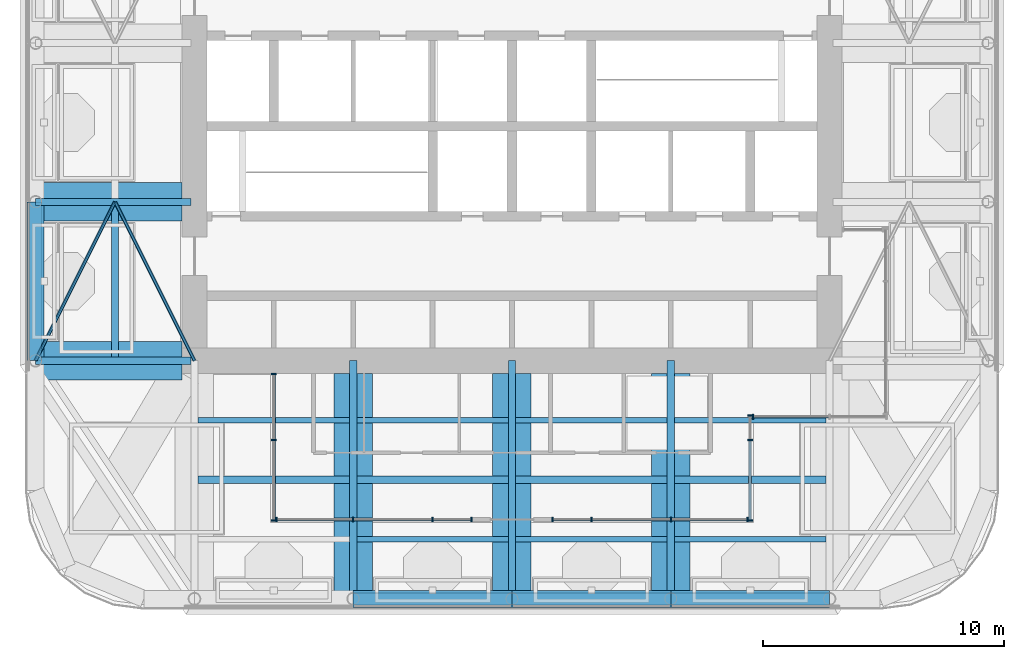
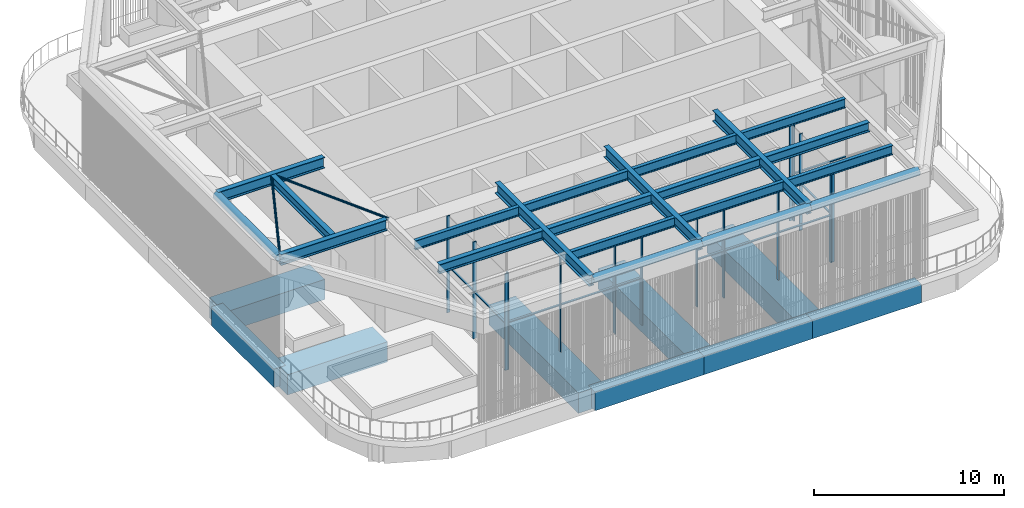
# One storey, part 2 of 22: 34 members, 23 beams, 5 elements without a shape of their own.
"""IFC4 building model written with IfcOpenShell, lengths in metres."""

import ifcopenshell
import ifcopenshell.guid

model = None  # the IFC model being written
_history = None  # IfcOwnerHistory: only IFC2X3 demands one
_inside = {}  # id of a spatial element -> (the spatial element, [elements in it])
_under = {}  # id of a project, library or spatial element -> (it, [spatial elements below it])
_declared = {}  # id of a project -> (the project, [libraries it declares])
_typed = {}  # id of a type object -> (the type object, [elements of that type])
_made_of = {}  # id of a material, layer set ... -> (it, [elements and type objects made of it])


def new_model(schema):
    """Start an empty IFC model of exactly this schema.

    Asked for "IFC4X3", IfcOpenShell would pick the latest addendum, in which some entities
    have other attributes; the version numbers below select the first issue.
    IFC2X3 requires an IfcOwnerHistory on every rooted entity: one is made here for all.
    """
    global model, _history
    if schema == "IFC4X3":
        model = ifcopenshell.file(schema_version=(4, 3, 0, 0))
    else:
        model = ifcopenshell.file(schema=schema)
    _inside.clear()
    _under.clear()
    _declared.clear()
    _typed.clear()
    _made_of.clear()
    _history = None
    if model.schema == "IFC2X3":
        org = make("IfcOrganization", Name="unknown")
        user = make(
            "IfcPersonAndOrganization",
            ThePerson=make("IfcPerson", FamilyName="unknown"),
            TheOrganization=org,
        )
        app = make(
            "IfcApplication",
            ApplicationDeveloper=org,
            Version="unknown",
            ApplicationFullName="unknown",
            ApplicationIdentifier="unknown",
        )
        _history = make(
            "IfcOwnerHistory",
            OwningUser=user,
            OwningApplication=app,
            ChangeAction="ADDED",
            CreationDate=0,
        )
    return model


def make(cls, **values):
    """One entity of the class cls with the attributes given. An attribute that is None is left unset."""
    return model.create_entity(
        cls, **{name: value for name, value in values.items() if value is not None}
    )


def rooted(cls, **values):
    """An entity with a GlobalId (a new one), such as an element, a storey or a relation."""
    return make(cls, GlobalId=ifcopenshell.guid.new(), OwnerHistory=_history, **values)


def si_unit(unit_type, name, prefix=None):
    """IfcSIUnit, for example si_unit("LENGTHUNIT", "METRE", prefix="MILLI")."""
    return make("IfcSIUnit", UnitType=unit_type, Prefix=prefix, Name=name)


def assignment(units):
    """IfcUnitAssignment: the units of a project."""
    return None if units is None else make("IfcUnitAssignment", Units=units)


def point(xyz):
    """IfcCartesianPoint."""
    return None if xyz is None else make("IfcCartesianPoint", Coordinates=xyz)


def direction(xyz):
    """IfcDirection."""
    return None if xyz is None else make("IfcDirection", DirectionRatios=xyz)


def frame(location, z_axis=None, x_axis=None):
    """IfcAxis2Placement3D, a coordinate frame: its origin and axes. An axis left out is left unset."""
    return make(
        "IfcAxis2Placement3D",
        Location=point(location),
        Axis=direction(z_axis),
        RefDirection=direction(x_axis),
    )


def frame_2d(location, x_axis=None):
    """IfcAxis2Placement2D, a coordinate frame in the plane: its origin and x axis."""
    return make(
        "IfcAxis2Placement2D", Location=point(location), RefDirection=direction(x_axis)
    )


def origin():
    """The frame at (0, 0, 0) with its axes left unset."""
    return frame((0.0, 0.0, 0.0))


def origin_2d():
    """The frame at (0, 0) in the plane with its x axis left unset."""
    return frame_2d((0.0, 0.0))


def place(relative_to, where):
    """IfcLocalPlacement: puts the frame where relative to a parent placement (None: the world)."""
    return make(
        "IfcLocalPlacement", PlacementRelTo=relative_to, RelativePlacement=where
    )


def context(
    kind, dimensions, precision=None, world=None, true_north=None, identifier=None
):
    """IfcGeometricRepresentationContext, for example the 3D "Model" context."""
    return make(
        "IfcGeometricRepresentationContext",
        ContextIdentifier=identifier,
        ContextType=kind,
        CoordinateSpaceDimension=dimensions,
        Precision=precision,
        WorldCoordinateSystem=world,
        TrueNorth=true_north,
    )


def subcontext(parent, identifier, kind, view, scale=None):
    """IfcGeometricRepresentationSubContext, for example "Body" below "Model"."""
    return make(
        "IfcGeometricRepresentationSubContext",
        ContextIdentifier=identifier,
        ContextType=kind,
        ParentContext=parent,
        TargetScale=scale,
        TargetView=view,
    )


def project(units=None, contexts=None):
    """IfcProject with its units and contexts."""
    return rooted(
        "IfcProject",
        Name="project",
        RepresentationContexts=contexts,
        UnitsInContext=assignment(units),
    )


def spatial(cls, under=None, at=None, **own):
    """A site, building, storey or space (cls), placed at a placement, below another one or the project."""
    s = rooted(cls, ObjectPlacement=at, **own)
    if under is not None:
        _under.setdefault(under.id(), (under, []))[1].append(s)
    return s


def profile(cls, at=None, kind="AREA", **sizes):
    """A parametric profile (cls). Its sizes go by their IFC names, for example OverallWidth=200.0."""
    return make(cls, ProfileType=kind, Position=at, **sizes)


def rectangle(**sizes):
    """IfcRectangleProfileDef."""
    return profile("IfcRectangleProfileDef", **sizes)


def hollow_circle(**sizes):
    """IfcCircleHollowProfileDef."""
    return profile("IfcCircleHollowProfileDef", **sizes)


def i_section(**sizes):
    """IfcIShapeProfileDef."""
    return profile("IfcIShapeProfileDef", **sizes)


def extrude(swept, where, along, depth):
    """IfcExtrudedAreaSolid: the profile swept, set in the frame where, extruded along a direction by depth."""
    return make(
        "IfcExtrudedAreaSolid",
        SweptArea=swept,
        Position=where,
        ExtrudedDirection=direction(along),
        Depth=depth,
    )


def shape(context_of_items, identifier, shape_type, items):
    """IfcShapeRepresentation: the items that make up one representation, for example the "Body"."""
    return make(
        "IfcShapeRepresentation",
        ContextOfItems=context_of_items,
        RepresentationIdentifier=identifier,
        RepresentationType=shape_type,
        Items=items,
    )


def material(Name=None, Category=None):
    """IfcMaterial."""
    return make("IfcMaterial", Name=Name, Category=Category)


def material_profile(
    of_material, cross_section, Name=None, Category=None, Priority=None
):
    """IfcMaterialProfile: a cross section and its material."""
    return make(
        "IfcMaterialProfile",
        Name=Name,
        Material=of_material,
        Profile=cross_section,
        Priority=Priority,
        Category=Category,
    )


def profile_set(profiles, Name=None, composite=None):
    """IfcMaterialProfileSet."""
    return make(
        "IfcMaterialProfileSet",
        Name=Name,
        MaterialProfiles=profiles,
        CompositeProfile=composite,
    )


def made_of(thing, what):
    """Note that an element or type object is made of a material, layer set ...; save() writes the relation."""
    if what is not None:
        _made_of.setdefault(what.id(), (what, []))[1].append(thing)
    return thing


def type_object(cls, material=None, **own):
    """A type object (cls), such as IfcWallType, which elements share."""
    return made_of(rooted(cls, **own), material)


def element(
    cls,
    number,
    at=None,
    inside=None,
    cuts=None,
    type_object=None,
    material=None,
    context=None,
    identifier="Body",
    shape_type=None,
    held_by="IfcProductDefinitionShape",
    body=None,
    shapes=None,
    **own,
):
    """One element of the class cls, such as IfcWall. Its Tag is "e" and its number.

    at: its placement. inside: the storey or other place that contains it. cuts: it is an
    opening in that element (IfcRelVoidsElement). A single representation is given by context,
    identifier, shape_type and body (its items); several are given by shapes. held_by: the class
    of the entity that holds the representations. save() writes the other relations.
    """
    e = rooted(cls, Tag="e%d" % number, ObjectPlacement=at, **own)
    if body is not None:
        shapes = [shape(context, identifier, shape_type, body)]
    if shapes is not None:
        e.Representation = make(held_by, Representations=shapes)
    if inside is not None:
        _inside.setdefault(inside.id(), (inside, []))[1].append(e)
    if cuts is not None:
        rooted(
            "IfcRelVoidsElement", RelatingBuildingElement=cuts, RelatedOpeningElement=e
        )
    if type_object is not None:
        _typed.setdefault(type_object.id(), (type_object, []))[1].append(e)
    return made_of(e, material)


def aggregate(whole, parts):
    """IfcRelAggregates: a whole, such as a stair, and the parts it consists of."""
    return rooted("IfcRelAggregates", RelatingObject=whole, RelatedObjects=parts)


def save(model, path):
    """Write the relations noted so far, then the file.

    IfcRelAggregates (storeys below a building ...), IfcRelContainedInSpatialStructure (elements
    in a storey), IfcRelDefinesByType, IfcRelAssociatesMaterial and IfcRelDeclares: one each for
    every whole, place, type object, material and project.
    """
    for whole, parts in _under.values():
        aggregate(whole, parts)
    for where, things in _inside.values():
        rooted(
            "IfcRelContainedInSpatialStructure",
            RelatedElements=things,
            RelatingStructure=where,
        )
    for kind, things in _typed.values():
        rooted("IfcRelDefinesByType", RelatedObjects=things, RelatingType=kind)
    for what, things in _made_of.values():
        rooted("IfcRelAssociatesMaterial", RelatedObjects=things, RelatingMaterial=what)
    for by, libraries in _declared.values():
        rooted("IfcRelDeclares", RelatingContext=by, RelatedDefinitions=libraries)
    model.write(path)


model = new_model("IFC4")

# Units and contexts
model_context = context("Model", 3, precision=1e-05, world=origin(), true_north=direction((0.0, 1.0)))
body_context = subcontext(model_context, "Body", "Model", "MODEL_VIEW")
ifc_project = project(units=[si_unit("LENGTHUNIT", "METRE"), si_unit("AREAUNIT", "SQUARE_METRE"), si_unit("VOLUMEUNIT", "CUBIC_METRE"), si_unit("PLANEANGLEUNIT", "RADIAN"), si_unit("MASSUNIT", "GRAM", prefix="KILO")], contexts=[model_context])

# Site, building, storey
site_placement = place(None, origin())
site = spatial("IfcSite", under=ifc_project, at=site_placement, CompositionType="ELEMENT")
building_placement = place(site_placement, origin())
building = spatial("IfcBuilding", under=site, at=building_placement, Name="Cobogo Forest Laboratory Tower", CompositionType="ELEMENT")
storey_placement = place(building_placement, frame((0.0, 0.0, 292.800048828125)))
storey = spatial("IfcBuildingStorey", under=building, at=storey_placement, Name="RF", CompositionType="ELEMENT", Elevation=292.800048828125)

# Beams
ifc_material_1 = material(Name="Steel S355", Category="steel")
ifc_material_profile_1 = material_profile(ifc_material_1, i_section(OverallWidth=0.300048828125, OverallDepth=0.699951171875, WebThickness=0.01708984375, FlangeThickness=0.031982421875, FilletRadius=0.027099609375, at=origin_2d()), Name="HEB 700")
ifc_profile_set_1 = profile_set([ifc_material_profile_1], Name="Steel S355")
beam_type_1 = type_object("IfcBeamType", Name="Crown frame girder HEB 700", PredefinedType="BEAM", material=ifc_profile_set_1)
for number, where, z_axis, x_axis, name in (
    (1, (19.800048828125, 3.300048828125, 6.550048828125), (0.0, 1.0, 0.0), (-1.0, 0.0, 0.0), "SG1 4-1"),
    (2, (26.39990234375, 3.300048828125, 6.550048828125), (0.0, 1.0, 0.0), (-1.0, 0.0, 0.0), "SG1 5-1"),
    (3, (33.0, 3.300048828125, 6.550048828125), (0.0, 1.0, 0.0), (-1.0, 0.0, 0.0), "SG1 6-1"),
):
    element("IfcBeam", number, at=place(storey_placement, frame(where, z_axis=z_axis, x_axis=x_axis)), inside=storey, type_object=beam_type_1, Name=name, PredefinedType="BEAM", context=body_context, shape_type="SweptSolid", body=[
        extrude(i_section(OverallWidth=0.300048828125, OverallDepth=0.699951171875, WebThickness=0.01708984375, FlangeThickness=0.031982421875, FilletRadius=0.027099609375, at=origin_2d()), origin(), (0.0, 0.0, 1.0), 9.89990234375),
    ])
for number, where, z_axis, x_axis, name in (
    (4, (6.60009765625, 13.199951171875, 6.550048828125), (1.0, 0.0, 0.0), (0.0, 1.0, 0.0), "SG1 C-W"),
    (5, (6.60009765625, 19.800048828125, 6.550048828125), (1.0, 0.0, 0.0), (0.0, 1.0, 0.0), "SG1 D-W"),
):
    element("IfcBeam", number, at=place(storey_placement, frame(where, z_axis=z_axis, x_axis=x_axis)), inside=storey, type_object=beam_type_1, Name=name, PredefinedType="BEAM", context=body_context, shape_type="SweptSolid", body=[
        extrude(i_section(OverallWidth=0.300048828125, OverallDepth=0.699951171875, WebThickness=0.01708984375, FlangeThickness=0.031982421875, FilletRadius=0.027099609375, at=origin_2d()), origin(), (0.0, 0.0, 1.0), 6.449951171875),
    ])

# Members
ifc_material_profile_2 = material_profile(ifc_material_1, i_section(OverallWidth=0.219970703125, OverallDepth=0.60009765625, WebThickness=0.011962890625, FlangeThickness=0.01904296875, FilletRadius=0.02392578125, at=origin_2d()), Name="IPE 600")
ifc_profile_set_2 = profile_set([ifc_material_profile_2], Name="Steel S355")
member_type_1 = type_object("IfcMemberType", Name="Crown frame intermediate purlin IPE 600", PredefinedType="PURLIN", material=ifc_profile_set_2)
for number, where, z_axis, x_axis, name in (
    (6, (19.949951171875, 5.77490234375, 6.599853515625), (1.0, 0.0, 0.0), (0.0, 1.0, 0.0), "SP2 canopy purlin S1-2"),
    (7, (26.550048828125, 5.77490234375, 6.599853515625), (1.0, 0.0, 0.0), (0.0, 1.0, 0.0), "SP2 canopy purlin S1-3"),
    (8, (33.14990234375, 5.77490234375, 6.599853515625), (1.0, 0.0, 0.0), (0.0, 1.0, 0.0), "SP2 canopy purlin S1-4"),
):
    element("IfcMember", number, at=place(storey_placement, frame(where, z_axis=z_axis, x_axis=x_axis)), inside=storey, type_object=member_type_1, Name=name, PredefinedType="PURLIN", context=body_context, shape_type="SweptSolid", body=[
        extrude(i_section(OverallWidth=0.219970703125, OverallDepth=0.60009765625, WebThickness=0.011962890625, FlangeThickness=0.01904296875, FilletRadius=0.02392578125, at=origin_2d()), origin(), (0.0, 0.0, 1.0), 6.300048828125),
    ])
member_1_placement = place(storey_placement, frame((13.35009765625, 10.72509765625, 6.599853515625), z_axis=(1.0, 0.0, 0.0), x_axis=(0.0, 1.0, 0.0)))
element("IfcMember", 9, at=member_1_placement, inside=storey, type_object=member_type_1, Name="SP2 canopy purlin S3-1", PredefinedType="PURLIN", context=body_context, shape_type="SweptSolid", body=[
    extrude(i_section(OverallWidth=0.219970703125, OverallDepth=0.60009765625, WebThickness=0.011962890625, FlangeThickness=0.01904296875, FilletRadius=0.02392578125, at=origin_2d()), origin(), (0.0, 0.0, 1.0), 6.2998046875),
])
for number, where, z_axis, x_axis, name in (
    (10, (19.949951171875, 10.72509765625, 6.599853515625), (1.0, 0.0, 0.0), (0.0, 1.0, 0.0), "SP2 canopy purlin S3-2"),
    (11, (26.550048828125, 10.72509765625, 6.599853515625), (1.0, 0.0, 0.0), (0.0, 1.0, 0.0), "SP2 canopy purlin S3-3"),
    (12, (33.14990234375, 10.72509765625, 6.599853515625), (1.0, 0.0, 0.0), (0.0, 1.0, 0.0), "SP2 canopy purlin S3-4"),
):
    element("IfcMember", number, at=place(storey_placement, frame(where, z_axis=z_axis, x_axis=x_axis)), inside=storey, type_object=member_type_1, Name=name, PredefinedType="PURLIN", context=body_context, shape_type="SweptSolid", body=[
        extrude(i_section(OverallWidth=0.219970703125, OverallDepth=0.60009765625, WebThickness=0.011962890625, FlangeThickness=0.01904296875, FilletRadius=0.02392578125, at=origin_2d()), origin(), (0.0, 0.0, 1.0), 6.300048828125),
    ])
ifc_material_profile_3 = material_profile(ifc_material_1, hollow_circle(Radius=0.06982421875, WallThickness=0.00634765625, at=origin_2d()), Name="CHS 139.7x6.3")
ifc_profile_set_3 = profile_set([ifc_material_profile_3], Name="Steel S355")
member_type_2 = type_object("IfcMemberType", Name="Crown frame plan brace CHS 139.7x6.3", PredefinedType="BRACE", material=ifc_profile_set_3)
member_2_placement = place(storey_placement, frame((6.60009765625, 13.199951171875, 6.830078125), z_axis=(0.447187126696, 0.894440424912, 0.0), x_axis=(-0.894440424912, 0.447187126696, 0.0)))
element("IfcMember", 13, at=member_2_placement, inside=storey, type_object=member_type_2, Name="SX1 canopy brace W1-1", PredefinedType="BRACE", context=body_context, shape_type="SweptSolid", body=[
    extrude(hollow_circle(Radius=0.06982421875, WallThickness=0.00634765625, at=origin_2d()), origin(), (0.0, 0.0, 1.0), 7.37890625),
])
member_3_placement = place(storey_placement, frame((13.199951171875, 13.199951171875, 6.830078125), z_axis=(-0.4472135955, 0.894427191, 0.0), x_axis=(-0.894427191, -0.4472135955, 0.0)))
element("IfcMember", 14, at=member_3_placement, inside=storey, type_object=member_type_2, Name="SX1 canopy brace W1-2", PredefinedType="BRACE", context=body_context, shape_type="SweptSolid", body=[
    extrude(hollow_circle(Radius=0.06982421875, WallThickness=0.00634765625, at=origin_2d()), origin(), (0.0, 0.0, 1.0), 7.379150390625),
])

# Beams
ifc_material_profile_4 = material_profile(ifc_material_1, i_section(OverallWidth=0.300048828125, OverallDepth=0.60009765625, WebThickness=0.015380859375, FlangeThickness=0.030029296875, FilletRadius=0.027099609375, at=origin_2d()), Name="HEB 600")
ifc_profile_set_4 = profile_set([ifc_material_profile_4], Name="Steel S355")
beam_type_2 = type_object("IfcBeamType", Name="Crown frame purlin HEB 600", PredefinedType="BEAM", material=ifc_profile_set_4)
beam_1_placement = place(storey_placement, frame((13.35009765625, 8.25, 6.599853515625), z_axis=(1.0, 0.0, 0.0), x_axis=(0.0, 1.0, 0.0)))
element("IfcBeam", 15, at=beam_1_placement, inside=storey, type_object=beam_type_2, Name="SP1 S1", PredefinedType="BEAM", context=body_context, shape_type="SweptSolid", body=[
    extrude(i_section(OverallWidth=0.300048828125, OverallDepth=0.60009765625, WebThickness=0.015380859375, FlangeThickness=0.030029296875, FilletRadius=0.027099609375, at=origin_2d()), origin(), (0.0, 0.0, 1.0), 6.2998046875),
])
for number, where, z_axis, x_axis, name in (
    (16, (19.949951171875, 8.25, 6.599853515625), (1.0, 0.0, 0.0), (0.0, 1.0, 0.0), "SP1 S2"),
    (17, (26.550048828125, 8.25, 6.599853515625), (1.0, 0.0, 0.0), (0.0, 1.0, 0.0), "SP1 S3"),
    (18, (33.14990234375, 8.25, 6.599853515625), (1.0, 0.0, 0.0), (0.0, 1.0, 0.0), "SP1 S4"),
):
    element("IfcBeam", number, at=place(storey_placement, frame(where, z_axis=z_axis, x_axis=x_axis)), inside=storey, type_object=beam_type_2, Name=name, PredefinedType="BEAM", context=body_context, shape_type="SweptSolid", body=[
        extrude(i_section(OverallWidth=0.300048828125, OverallDepth=0.60009765625, WebThickness=0.015380859375, FlangeThickness=0.030029296875, FilletRadius=0.027099609375, at=origin_2d()), origin(), (0.0, 0.0, 1.0), 6.300048828125),
    ])
beam_2_placement = place(storey_placement, frame((9.89990234375, 13.35009765625, 6.599853515625), z_axis=(0.0, 1.0, 0.0), x_axis=(-1.0, 0.0, 0.0)))
element("IfcBeam", 19, at=beam_2_placement, inside=storey, type_object=beam_type_2, Name="SP1 W1", PredefinedType="BEAM", context=body_context, shape_type="SweptSolid", body=[
    extrude(i_section(OverallWidth=0.300048828125, OverallDepth=0.60009765625, WebThickness=0.015380859375, FlangeThickness=0.030029296875, FilletRadius=0.027099609375, at=origin_2d()), origin(), (0.0, 0.0, 1.0), 6.2998046875),
])
ifc_material_profile_5 = material_profile(ifc_material_1, hollow_circle(Radius=0.25390625, WallThickness=0.01611328125, at=origin_2d()), Name="CHS 508x16")
ifc_profile_set_5 = profile_set([ifc_material_profile_5], Name="Steel S355")
beam_type_3 = type_object("IfcBeamType", Name="Crown frame ring CHS 508x16", PredefinedType="BEAM", material=ifc_profile_set_5)
beam_3_placement = place(storey_placement, frame((19.800048828125, 3.300048828125, 6.64599609375), z_axis=(1.0, 0.0, 0.0), x_axis=(0.0, 1.0, 0.0)))
element("IfcBeam", 20, at=beam_3_placement, inside=storey, type_object=beam_type_3, Name="SE1 S2", PredefinedType="BEAM", context=body_context, shape_type="SweptSolid", body=[
    extrude(hollow_circle(Radius=0.25390625, WallThickness=0.01611328125, at=origin_2d()), origin(), (0.0, 0.0, 1.0), 6.599853515625),
])
for number, where, z_axis, x_axis, name in (
    (21, (26.39990234375, 3.300048828125, 6.64599609375), (1.0, 0.0, 0.0), (0.0, 1.0, 0.0), "SE1 S3"),
    (22, (33.0, 3.300048828125, 6.64599609375), (1.0, 0.0, 0.0), (0.0, 1.0, 0.0), "SE1 S4"),
    (23, (6.60009765625, 13.199951171875, 6.64599609375), (0.0, 1.0, 0.0), (-1.0, 0.0, 0.0), "SE1 W1"),
):
    element("IfcBeam", number, at=place(storey_placement, frame(where, z_axis=z_axis, x_axis=x_axis)), inside=storey, type_object=beam_type_3, Name=name, PredefinedType="BEAM", context=body_context, shape_type="SweptSolid", body=[
        extrude(hollow_circle(Radius=0.25390625, WallThickness=0.01611328125, at=origin_2d()), origin(), (0.0, 0.0, 1.0), 6.60009765625),
    ])

# Curtain wall, members
ifc_material_2 = material(Name="Aluminium curtain wall", Category="aluminium")
curtain_wall_type = type_object("IfcCurtainWallType", Name="CW-C stick curtain wall, crown glazing, conference floor and roof pavilion", PredefinedType="USERDEFINED", material=ifc_material_2)
curtain_wall_1_placement = place(storey_placement, origin())
curtain_wall_1 = element("IfcCurtainWall", 24, at=curtain_wall_1_placement, inside=storey, type_object=curtain_wall_type, Name="Curtain wall 01 RF", ObjectType="STICK CURTAIN WALL", PredefinedType="USERDEFINED")
ifc_material_3 = material(Name="Aluminium mullion", Category="aluminium")
ifc_material_profile_6 = material_profile(ifc_material_3, rectangle(XDim=0.06005859375, YDim=0.199951171875, at=origin_2d()), Name="AL 60x200")
ifc_profile_set_6 = profile_set([ifc_material_profile_6], Name="Aluminium mullion")
member_type_3 = type_object("IfcMemberType", Name="MU-2 aluminium mullion 60x200", PredefinedType="MULLION", material=ifc_profile_set_6)
member_4_placement = place(storey_placement, frame((16.5, 12.64501953125, 0.0), z_axis=(0.0, 0.0, 1.0), x_axis=(0.0, -1.0, 0.0)))
member_4 = element("IfcMember", 25, at=member_4_placement, type_object=member_type_3, Name="CW-C mullion 1", PredefinedType="MULLION", context=body_context, shape_type="SweptSolid", body=[
    extrude(rectangle(XDim=0.06005859375, YDim=0.199951171875, at=origin_2d()), origin(), (0.0, 0.0, 1.0), 6.199951171875),
])
member_5_placement = place(storey_placement, frame((16.5, 9.89990234375, 0.0), z_axis=(0.0, 0.0, 1.0), x_axis=(0.0, -1.0, 0.0)))
member_5 = element("IfcMember", 26, at=member_5_placement, type_object=member_type_3, Name="CW-C mullion 2", PredefinedType="MULLION", context=body_context, shape_type="SweptSolid", body=[
    extrude(rectangle(XDim=0.06005859375, YDim=0.199951171875, at=origin_2d()), origin(), (0.0, 0.0, 1.0), 6.199951171875),
])
member_6_placement = place(storey_placement, frame((16.5, 6.550048828125, 0.0), z_axis=(0.0, 0.0, 1.0), x_axis=(0.0, -1.0, 0.0)))
member_6 = element("IfcMember", 27, at=member_6_placement, type_object=member_type_3, Name="CW-C mullion 3", PredefinedType="MULLION", context=body_context, shape_type="SweptSolid", body=[
    extrude(rectangle(XDim=0.06005859375, YDim=0.199951171875, at=origin_2d()), origin(), (0.0, 0.0, 1.0), 6.199951171875),
])

curtain_wall_2_placement = place(storey_placement, origin())
curtain_wall_2 = element("IfcCurtainWall", 28, at=curtain_wall_2_placement, inside=storey, type_object=curtain_wall_type, Name="Curtain wall 02 RF", ObjectType="STICK CURTAIN WALL", PredefinedType="USERDEFINED")
member_7_placement = place(storey_placement, frame((16.610107421875, 6.60009765625, 0.0), z_axis=(0.0, 0.0, 1.0), x_axis=(1.0, 0.0, 0.0)))
member_7 = element("IfcMember", 29, at=member_7_placement, type_object=member_type_3, Name="CW-C mullion 1", PredefinedType="MULLION", context=body_context, shape_type="SweptSolid", body=[
    extrude(rectangle(XDim=0.06005859375, YDim=0.199951171875, at=origin_2d()), origin(), (0.0, 0.0, 1.0), 6.199951171875),
])
member_8_placement = place(storey_placement, frame((19.800048828125, 6.60009765625, 0.0), z_axis=(0.0, 0.0, 1.0), x_axis=(1.0, 0.0, 0.0)))
member_8 = element("IfcMember", 30, at=member_8_placement, type_object=member_type_3, Name="CW-C mullion 2", PredefinedType="MULLION", context=body_context, shape_type="SweptSolid", body=[
    extrude(rectangle(XDim=0.06005859375, YDim=0.199951171875, at=origin_2d()), origin(), (0.0, 0.0, 1.0), 6.199951171875),
])
member_9_placement = place(storey_placement, frame((23.10009765625, 6.60009765625, 0.0), z_axis=(0.0, 0.0, 1.0), x_axis=(1.0, 0.0, 0.0)))
member_9 = element("IfcMember", 31, at=member_9_placement, type_object=member_type_3, Name="CW-C mullion 3", PredefinedType="MULLION", context=body_context, shape_type="SweptSolid", body=[
    extrude(rectangle(XDim=0.06005859375, YDim=0.199951171875, at=origin_2d()), origin(), (0.0, 0.0, 1.0), 6.199951171875),
])
member_10_placement = place(storey_placement, frame((24.719970703125, 6.60009765625, 0.0), z_axis=(0.0, 0.0, 1.0), x_axis=(1.0, 0.0, 0.0)))
member_10 = element("IfcMember", 32, at=member_10_placement, type_object=member_type_3, Name="CW-C mullion 4", PredefinedType="MULLION", context=body_context, shape_type="SweptSolid", body=[
    extrude(rectangle(XDim=0.06005859375, YDim=0.199951171875, at=origin_2d()), origin(), (0.0, 0.0, 1.0), 6.199951171875),
])

curtain_wall_3_placement = place(storey_placement, origin())
curtain_wall_3 = element("IfcCurtainWall", 33, at=curtain_wall_3_placement, inside=storey, type_object=curtain_wall_type, Name="Curtain wall 03 RF", ObjectType="STICK CURTAIN WALL", PredefinedType="USERDEFINED")
member_11_placement = place(storey_placement, frame((28.080078125, 6.60009765625, 0.0), z_axis=(0.0, 0.0, 1.0), x_axis=(1.0, 0.0, 0.0)))
member_11 = element("IfcMember", 34, at=member_11_placement, type_object=member_type_3, Name="CW-C mullion 1", PredefinedType="MULLION", context=body_context, shape_type="SweptSolid", body=[
    extrude(rectangle(XDim=0.06005859375, YDim=0.199951171875, at=origin_2d()), origin(), (0.0, 0.0, 1.0), 6.199951171875),
])
member_12_placement = place(storey_placement, frame((29.699951171875, 6.60009765625, 0.0), z_axis=(0.0, 0.0, 1.0), x_axis=(1.0, 0.0, 0.0)))
member_12 = element("IfcMember", 35, at=member_12_placement, type_object=member_type_3, Name="CW-C mullion 2", PredefinedType="MULLION", context=body_context, shape_type="SweptSolid", body=[
    extrude(rectangle(XDim=0.06005859375, YDim=0.199951171875, at=origin_2d()), origin(), (0.0, 0.0, 1.0), 6.199951171875),
])
member_13_placement = place(storey_placement, frame((33.0, 6.60009765625, 0.0), z_axis=(0.0, 0.0, 1.0), x_axis=(1.0, 0.0, 0.0)))
member_13 = element("IfcMember", 36, at=member_13_placement, type_object=member_type_3, Name="CW-C mullion 3", PredefinedType="MULLION", context=body_context, shape_type="SweptSolid", body=[
    extrude(rectangle(XDim=0.06005859375, YDim=0.199951171875, at=origin_2d()), origin(), (0.0, 0.0, 1.0), 6.199951171875),
])
member_14_placement = place(storey_placement, frame((36.18994140625, 6.60009765625, 0.0), z_axis=(0.0, 0.0, 1.0), x_axis=(1.0, 0.0, 0.0)))
member_14 = element("IfcMember", 37, at=member_14_placement, type_object=member_type_3, Name="CW-C mullion 4", PredefinedType="MULLION", context=body_context, shape_type="SweptSolid", body=[
    extrude(rectangle(XDim=0.06005859375, YDim=0.199951171875, at=origin_2d()), origin(), (0.0, 0.0, 1.0), 6.199951171875),
])

curtain_wall_4_placement = place(storey_placement, origin())
curtain_wall_4 = element("IfcCurtainWall", 38, at=curtain_wall_4_placement, inside=storey, type_object=curtain_wall_type, Name="Curtain wall 04 RF", ObjectType="STICK CURTAIN WALL", PredefinedType="USERDEFINED")
member_15_placement = place(storey_placement, frame((36.300048828125, 6.550048828125, 0.0), z_axis=(0.0, 0.0, 1.0), x_axis=(0.0, 1.0, 0.0)))
member_15 = element("IfcMember", 39, at=member_15_placement, type_object=member_type_3, Name="CW-C mullion 1", PredefinedType="MULLION", context=body_context, shape_type="SweptSolid", body=[
    extrude(rectangle(XDim=0.06005859375, YDim=0.199951171875, at=origin_2d()), origin(), (0.0, 0.0, 1.0), 6.199951171875),
])
member_16_placement = place(storey_placement, frame((36.300048828125, 9.89990234375, 0.0), z_axis=(0.0, 0.0, 1.0), x_axis=(0.0, 1.0, 0.0)))
member_16 = element("IfcMember", 40, at=member_16_placement, type_object=member_type_3, Name="CW-C mullion 2", PredefinedType="MULLION", context=body_context, shape_type="SweptSolid", body=[
    extrude(rectangle(XDim=0.06005859375, YDim=0.199951171875, at=origin_2d()), origin(), (0.0, 0.0, 1.0), 6.199951171875),
])
member_17_placement = place(storey_placement, frame((36.300048828125, 10.925048828125, 0.0), z_axis=(0.0, 0.0, 1.0), x_axis=(0.0, 1.0, 0.0)))
member_17 = element("IfcMember", 41, at=member_17_placement, type_object=member_type_3, Name="CW-C mullion 3", PredefinedType="MULLION", context=body_context, shape_type="SweptSolid", body=[
    extrude(rectangle(XDim=0.06005859375, YDim=0.199951171875, at=origin_2d()), origin(), (0.0, 0.0, 1.0), 6.199951171875),
])

# Curtain wall, member
curtain_wall_5_placement = place(storey_placement, origin())
curtain_wall_5 = element("IfcCurtainWall", 42, at=curtain_wall_5_placement, inside=storey, type_object=curtain_wall_type, Name="Curtain wall 05 RF", ObjectType="STICK CURTAIN WALL", PredefinedType="USERDEFINED")
member_18_placement = place(storey_placement, frame((36.409912109375, 10.875, 0.0), z_axis=(0.0, 0.0, 1.0), x_axis=(1.0, 0.0, 0.0)))
member_18 = element("IfcMember", 43, at=member_18_placement, type_object=member_type_3, Name="CW-C mullion 1", PredefinedType="MULLION", context=body_context, shape_type="SweptSolid", body=[
    extrude(rectangle(XDim=0.06005859375, YDim=0.199951171875, at=origin_2d()), origin(), (0.0, 0.0, 1.0), 6.199951171875),
])

# Beams
ifc_material_4 = material(Name="Concrete HA-40 (C40/50)", Category="concrete")
ifc_material_profile_7 = material_profile(ifc_material_4, rectangle(XDim=0.699951171875, YDim=1.199951171875, at=origin_2d()), Name="RC 700x1200")
ifc_profile_set_7 = profile_set([ifc_material_profile_7], Name="Concrete HA-40 (C40/50)")
beam_type_4 = type_object("IfcBeamType", Name="Perimeter edge beam 700x1200", PredefinedType="BEAM", material=ifc_profile_set_7)
beam_4_placement = place(storey_placement, frame((19.800048828125, 3.300048828125, -1.0), z_axis=(1.0, 0.0, 0.0), x_axis=(0.0, 1.0, 0.0)))
element("IfcBeam", 44, at=beam_4_placement, inside=storey, type_object=beam_type_4, Name="EB1 E-S2 RF", PredefinedType="BEAM", context=body_context, shape_type="SweptSolid", body=[
    extrude(rectangle(XDim=0.699951171875, YDim=1.199951171875, at=origin_2d()), origin(), (0.0, 0.0, 1.0), 6.599853515625),
])
for number, where, z_axis, x_axis, name in (
    (45, (26.39990234375, 3.300048828125, -1.0), (1.0, 0.0, 0.0), (0.0, 1.0, 0.0), "EB1 E-S3 RF"),
    (46, (33.0, 3.300048828125, -1.0), (1.0, 0.0, 0.0), (0.0, 1.0, 0.0), "EB1 E-S4 RF"),
    (47, (6.60009765625, 13.199951171875, -1.0), (0.0, 1.0, 0.0), (-1.0, 0.0, 0.0), "EB1 E-W1 RF"),
):
    element("IfcBeam", number, at=place(storey_placement, frame(where, z_axis=z_axis, x_axis=x_axis)), inside=storey, type_object=beam_type_4, Name=name, PredefinedType="BEAM", context=body_context, shape_type="SweptSolid", body=[
        extrude(rectangle(XDim=0.699951171875, YDim=1.199951171875, at=origin_2d()), origin(), (0.0, 0.0, 1.0), 6.60009765625),
    ])
ifc_material_profile_8 = material_profile(ifc_material_4, rectangle(XDim=1.60009765625, YDim=1.300048828125, at=origin_2d()), Name="RC 1600x1300")
ifc_profile_set_8 = profile_set([ifc_material_profile_8], Name="Concrete HA-40 (C40/50)")
beam_type_5 = type_object("IfcBeamType", Name="Plant and roof garden wide beam 1600x1300", PredefinedType="BEAM", material=ifc_profile_set_8)
for number, where, z_axis, x_axis, name in (
    (48, (19.800048828125, 12.675048828125, -1.050048828125), (0.0, -1.0, 0.0), (1.0, 0.0, 0.0), "RB4 R-4-S RF"),
    (49, (26.39990234375, 12.675048828125, -1.050048828125), (0.0, -1.0, 0.0), (1.0, 0.0, 0.0), "RB4 R-5-S RF"),
    (50, (33.0, 12.675048828125, -1.050048828125), (0.0, -1.0, 0.0), (1.0, 0.0, 0.0), "RB4 R-6-S RF"),
):
    element("IfcBeam", number, at=place(storey_placement, frame(where, z_axis=z_axis, x_axis=x_axis)), inside=storey, type_object=beam_type_5, Name=name, PredefinedType="BEAM", context=body_context, shape_type="SweptSolid", body=[
        extrude(rectangle(XDim=1.60009765625, YDim=1.300048828125, at=origin_2d()), origin(), (0.0, 0.0, 1.0), 9.375),
    ])
for number, where, z_axis, x_axis, name in (
    (51, (12.675048828125, 13.199951171875, -1.050048828125), (-1.0, 0.0, 0.0), (0.0, -1.0, 0.0), "RB4 R-C-W RF"),
    (52, (12.675048828125, 19.800048828125, -1.050048828125), (-1.0, 0.0, 0.0), (0.0, -1.0, 0.0), "RB4 R-D-W RF"),
):
    element("IfcBeam", number, at=place(storey_placement, frame(where, z_axis=z_axis, x_axis=x_axis)), inside=storey, type_object=beam_type_5, Name=name, PredefinedType="BEAM", context=body_context, shape_type="SweptSolid", body=[
        extrude(rectangle(XDim=1.60009765625, YDim=1.300048828125, at=origin_2d()), origin(), (0.0, 0.0, 1.0), 6.074951171875),
    ])

# Member
ifc_material_5 = material(Name="Aluminium transom", Category="aluminium")
ifc_material_profile_9 = material_profile(ifc_material_5, rectangle(XDim=0.1201171875, YDim=0.06005859375, at=origin_2d()), Name="AL 60x120")
ifc_profile_set_9 = profile_set([ifc_material_profile_9], Name="Aluminium transom")
member_type_4 = type_object("IfcMemberType", Name="TR-1 aluminium transom 60x120", PredefinedType="USERDEFINED", material=ifc_profile_set_9)
member_19_placement = place(storey_placement, frame((16.5, 12.614990234375, 3.0), z_axis=(0.0, -1.0, 0.0), x_axis=(1.0, 0.0, 0.0)))
member_19 = element("IfcMember", 53, at=member_19_placement, type_object=member_type_4, Name="CW-C transom 1.1", ObjectType="TRANSOM", PredefinedType="USERDEFINED", context=body_context, shape_type="SweptSolid", body=[
    extrude(rectangle(XDim=0.1201171875, YDim=0.06005859375, at=origin_2d()), origin(), (0.0, 0.0, 1.0), 2.68505859375),
])

member_20_placement = place(storey_placement, frame((16.5, 9.8701171875, 3.0), z_axis=(0.0, -1.0, 0.0), x_axis=(1.0, 0.0, 0.0)))
member_20 = element("IfcMember", 54, at=member_20_placement, type_object=member_type_4, Name="CW-C transom 2.1", ObjectType="TRANSOM", PredefinedType="USERDEFINED", context=body_context, shape_type="SweptSolid", body=[
    extrude(rectangle(XDim=0.1201171875, YDim=0.06005859375, at=origin_2d()), origin(), (0.0, 0.0, 1.0), 3.2900390625),
])

aggregate(curtain_wall_1, [member_4, member_5, member_6, member_19, member_20])

member_21_placement = place(storey_placement, frame((16.639892578125, 6.60009765625, 3.0), z_axis=(1.0, 0.0, 0.0), x_axis=(0.0, 1.0, 0.0)))
member_21 = element("IfcMember", 55, at=member_21_placement, type_object=member_type_4, Name="CW-C transom 1.1", ObjectType="TRANSOM", PredefinedType="USERDEFINED", context=body_context, shape_type="SweptSolid", body=[
    extrude(rectangle(XDim=0.1201171875, YDim=0.06005859375, at=origin_2d()), origin(), (0.0, 0.0, 1.0), 3.130126953125),
])

member_22_placement = place(storey_placement, frame((19.830078125, 6.60009765625, 3.0), z_axis=(1.0, 0.0, 0.0), x_axis=(0.0, 1.0, 0.0)))
member_22 = element("IfcMember", 56, at=member_22_placement, type_object=member_type_4, Name="CW-C transom 2.1", ObjectType="TRANSOM", PredefinedType="USERDEFINED", context=body_context, shape_type="SweptSolid", body=[
    extrude(rectangle(XDim=0.1201171875, YDim=0.06005859375, at=origin_2d()), origin(), (0.0, 0.0, 1.0), 3.239990234375),
])

member_23_placement = place(storey_placement, frame((23.1298828125, 6.60009765625, 3.0), z_axis=(1.0, 0.0, 0.0), x_axis=(0.0, 1.0, 0.0)))
member_23 = element("IfcMember", 57, at=member_23_placement, type_object=member_type_4, Name="CW-C transom 3.1", ObjectType="TRANSOM", PredefinedType="USERDEFINED", context=body_context, shape_type="SweptSolid", body=[
    extrude(rectangle(XDim=0.1201171875, YDim=0.06005859375, at=origin_2d()), origin(), (0.0, 0.0, 1.0), 1.56005859375),
])

aggregate(curtain_wall_2, [member_7, member_8, member_9, member_10, member_21, member_22, member_23])

member_24_placement = place(storey_placement, frame((28.110107421875, 6.60009765625, 3.0), z_axis=(1.0, 0.0, 0.0), x_axis=(0.0, 1.0, 0.0)))
member_24 = element("IfcMember", 58, at=member_24_placement, type_object=member_type_4, Name="CW-C transom 1.1", ObjectType="TRANSOM", PredefinedType="USERDEFINED", context=body_context, shape_type="SweptSolid", body=[
    extrude(rectangle(XDim=0.1201171875, YDim=0.06005859375, at=origin_2d()), origin(), (0.0, 0.0, 1.0), 1.559814453125),
])

member_25_placement = place(storey_placement, frame((29.72998046875, 6.60009765625, 3.0), z_axis=(1.0, 0.0, 0.0), x_axis=(0.0, 1.0, 0.0)))
member_25 = element("IfcMember", 59, at=member_25_placement, type_object=member_type_4, Name="CW-C transom 2.1", ObjectType="TRANSOM", PredefinedType="USERDEFINED", context=body_context, shape_type="SweptSolid", body=[
    extrude(rectangle(XDim=0.1201171875, YDim=0.06005859375, at=origin_2d()), origin(), (0.0, 0.0, 1.0), 3.239990234375),
])

member_26_placement = place(storey_placement, frame((33.030029296875, 6.60009765625, 3.0), z_axis=(1.0, 0.0, 0.0), x_axis=(0.0, 1.0, 0.0)))
member_26 = element("IfcMember", 60, at=member_26_placement, type_object=member_type_4, Name="CW-C transom 3.1", ObjectType="TRANSOM", PredefinedType="USERDEFINED", context=body_context, shape_type="SweptSolid", body=[
    extrude(rectangle(XDim=0.1201171875, YDim=0.06005859375, at=origin_2d()), origin(), (0.0, 0.0, 1.0), 3.1298828125),
])

aggregate(curtain_wall_3, [member_11, member_12, member_13, member_14, member_24, member_25, member_26])

member_27_placement = place(storey_placement, frame((36.300048828125, 6.580078125, 3.0), z_axis=(0.0, 1.0, 0.0), x_axis=(-1.0, 0.0, 0.0)))
member_27 = element("IfcMember", 61, at=member_27_placement, type_object=member_type_4, Name="CW-C transom 1.1", ObjectType="TRANSOM", PredefinedType="USERDEFINED", context=body_context, shape_type="SweptSolid", body=[
    extrude(rectangle(XDim=0.1201171875, YDim=0.06005859375, at=origin_2d()), origin(), (0.0, 0.0, 1.0), 3.2900390625),
])

aggregate(curtain_wall_4, [member_15, member_16, member_17, member_27])

member_28_placement = place(storey_placement, frame((36.43994140625, 10.875, 3.0), z_axis=(1.0, 0.0, 0.0), x_axis=(0.0, 1.0, 0.0)))
member_28 = element("IfcMember", 62, at=member_28_placement, type_object=member_type_4, Name="CW-C transom 1.1", ObjectType="TRANSOM", PredefinedType="USERDEFINED", context=body_context, shape_type="SweptSolid", body=[
    extrude(rectangle(XDim=0.1201171875, YDim=0.06005859375, at=origin_2d()), origin(), (0.0, 0.0, 1.0), 3.130126953125),
])

aggregate(curtain_wall_5, [member_18, member_28])

save(model, "model.ifc")
